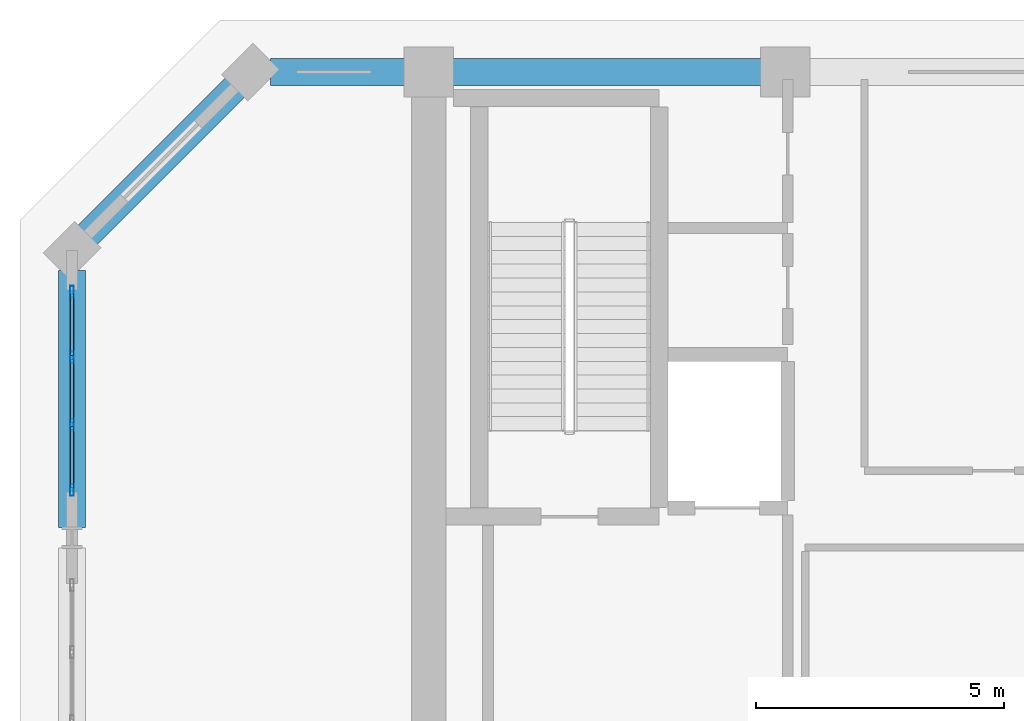
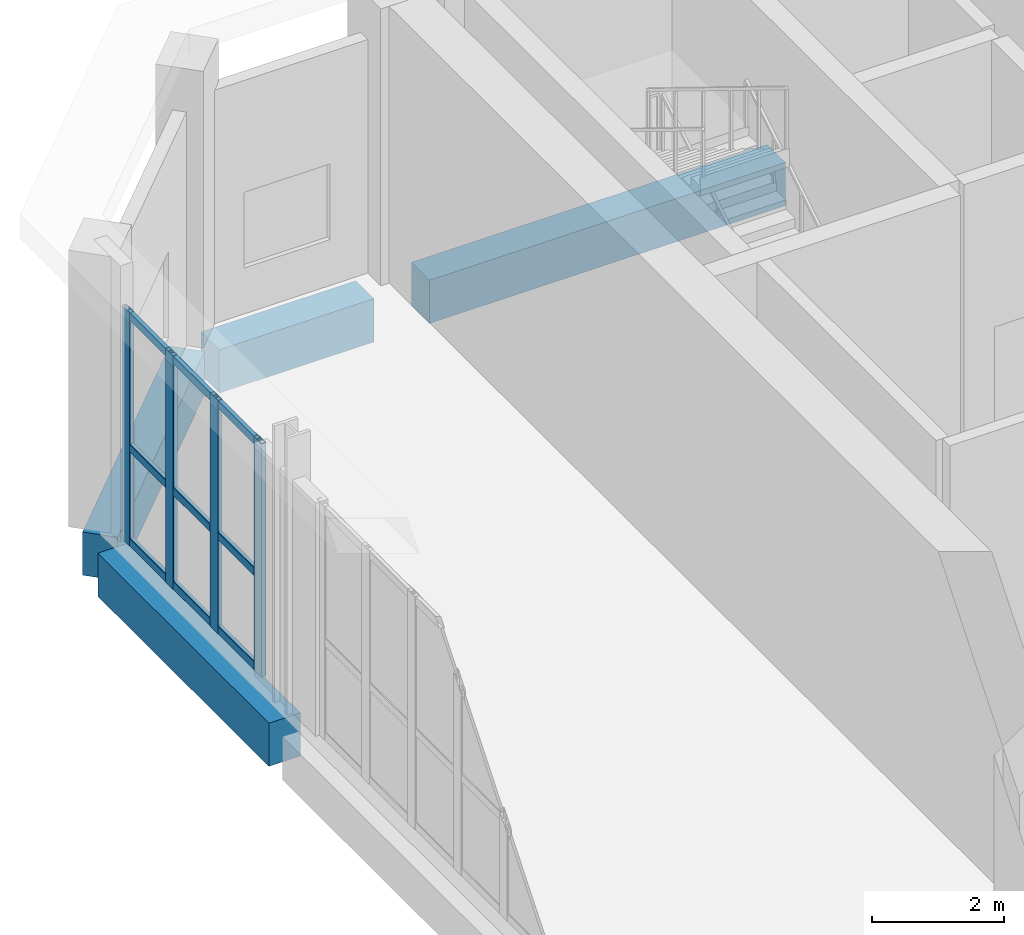
# One storey, part 12 of 26: 13 members, 4 beams, 1 element without a shape of its own.
"""IFC4 building model written with IfcOpenShell, lengths in metres."""

from ifc_helpers import new_model, si_unit, direction, frame, origin, origin_2d, place, context, subcontext, project, spatial, rectangle, hollow_rectangle, extrude, material, layer, layer_set, material_profile, profile_set, type_object, element, aggregate, save


model = new_model("IFC4")

# Units and contexts
model_context = context("Model", 3, precision=1e-05, world=origin(), true_north=direction((0.0, 1.0)))
body_context = subcontext(model_context, "Body", "Model", "MODEL_VIEW")
ifc_project = project(units=[si_unit("LENGTHUNIT", "METRE"), si_unit("AREAUNIT", "SQUARE_METRE"), si_unit("VOLUMEUNIT", "CUBIC_METRE"), si_unit("PLANEANGLEUNIT", "RADIAN"), si_unit("MASSUNIT", "GRAM", prefix="KILO")], contexts=[model_context])

# Site, building, storey
site_placement = place(None, origin())
site = spatial("IfcSite", under=ifc_project, at=site_placement, CompositionType="ELEMENT")
building_placement = place(site_placement, origin())
building = spatial("IfcBuilding", under=site, at=building_placement, Name="Kaelvorn Grand Hotel", CompositionType="ELEMENT")
storey_placement = place(building_placement, frame((0.0, 0.0, 300.199951171875)))
storey = spatial("IfcBuildingStorey", under=building, at=storey_placement, Name="L73", CompositionType="ELEMENT", Elevation=300.199951171875)

# Beams
ifc_material_1 = material(Name="Concrete C50/60", Category="concrete")
ifc_material_profile_1 = material_profile(ifc_material_1, rectangle(XDim=0.550048828125, YDim=0.800048828125, at=origin_2d()), Name="RC SPANDREL 550x800")
ifc_profile_set_1 = profile_set([ifc_material_profile_1], Name="Concrete C50/60")
beam_type = type_object("IfcBeamType", Name="BM-SP-550x800-C50", PredefinedType="SPANDREL", material=ifc_profile_set_1)
beam_1_placement = place(storey_placement, frame((13.0048828125, 49.0, -0.780029296875), z_axis=(1.0, 0.0, 0.0), x_axis=(0.0, 1.0, 0.0)))
element("IfcBeam", 1, at=beam_1_placement, inside=storey, type_object=beam_type, Name="L73 North Perimeter Spandrel 01", PredefinedType="SPANDREL", context=body_context, shape_type="SweptSolid", body=[
    extrude(rectangle(XDim=0.550048828125, YDim=0.800048828125, at=origin_2d()), origin(), (0.0, 0.0, 1.0), 2.710205078125),
])
beam_2_placement = place(storey_placement, frame((16.68505859375, 49.0, -0.780029296875), z_axis=(1.0, 0.0, 0.0), x_axis=(0.0, 1.0, 0.0)))
element("IfcBeam", 2, at=beam_2_placement, inside=storey, type_object=beam_type, Name="L73 North Perimeter Spandrel 02", PredefinedType="SPANDREL", context=body_context, shape_type="SweptSolid", body=[
    extrude(rectangle(XDim=0.550048828125, YDim=0.800048828125, at=origin_2d()), origin(), (0.0, 0.0, 1.0), 6.22998046875),
])
beam_3_placement = place(storey_placement, frame((9.0, 39.804931640625, -0.780029296875), z_axis=(0.0, 1.0, 0.0), x_axis=(-1.0, 0.0, 0.0)))
element("IfcBeam", 3, at=beam_3_placement, inside=storey, type_object=beam_type, Name="L73 West Perimeter Spandrel 04", PredefinedType="SPANDREL", context=body_context, shape_type="SweptSolid", body=[
    extrude(rectangle(XDim=0.550048828125, YDim=0.800048828125, at=origin_2d()), origin(), (0.0, 0.0, 1.0), 5.190185546875),
])
beam_4_placement = place(storey_placement, frame((12.60009765625, 49.0, -0.780029296875), z_axis=(-0.707106781187, -0.707106781187, 0.0), x_axis=(0.707106781187, -0.707106781187, 0.0)))
element("IfcBeam", 4, at=beam_4_placement, inside=storey, type_object=beam_type, Name="L73 Chamfer Spandrel Beam 3", PredefinedType="SPANDREL", context=body_context, shape_type="SweptSolid", body=[
    extrude(rectangle(XDim=0.550048828125, YDim=0.800048828125, at=origin_2d()), origin(), (0.0, 0.0, 1.0), 5.09130859375),
])

# Curtain wall, members
ifc_material_2 = material(Name="Anodised Aluminium", Category="aluminium")
ifc_layer = layer(ifc_material_2, 0.239990234375)
ifc_layer_set = layer_set([ifc_layer], Name="Anodised Aluminium")
curtain_wall_type = type_object("IfcCurtainWallType", Name="CW-SYS5", PredefinedType="NOTDEFINED", material=ifc_layer_set)
curtain_wall_placement = place(storey_placement, origin())
curtain_wall = element("IfcCurtainWall", 5, at=curtain_wall_placement, inside=storey, type_object=curtain_wall_type, Name="L73 Unitised Curtain Wall CW5 (CW-L73-W-05)", PredefinedType="NOTDEFINED")
ifc_material_profile_2 = material_profile(ifc_material_2, hollow_rectangle(XDim=0.080078125, YDim=0.239990234375, WallThickness=0.0048828125, InnerFilletRadius=0.0048828125, OuterFilletRadius=0.010009765625, at=origin_2d()), Name="ALU MULL 80x240")
ifc_profile_set_2 = profile_set([ifc_material_profile_2], Name="Anodised Aluminium")
member_type_1 = type_object("IfcMemberType", Name="CW-SYS5-MULL", PredefinedType="MULLION", material=ifc_profile_set_2)
member_1_placement = place(storey_placement, frame((9.0, 44.56005859375, 0.0), z_axis=(0.0, 0.0, 1.0), x_axis=(1.0, 0.0, 0.0)))
member_1 = element("IfcMember", 6, at=member_1_placement, type_object=member_type_1, Name="CW5 mullion 1", PredefinedType="MULLION", context=body_context, shape_type="SweptSolid", body=[
    extrude(hollow_rectangle(XDim=0.080078125, YDim=0.239990234375, WallThickness=0.0048828125, InnerFilletRadius=0.0048828125, OuterFilletRadius=0.010009765625, at=origin_2d()), origin(), (0.0, 0.0, 1.0), 4.320068359375),
])
member_2_placement = place(storey_placement, frame((9.0, 43.239990234375, 0.0), z_axis=(0.0, 0.0, 1.0), x_axis=(1.0, 0.0, 0.0)))
member_2 = element("IfcMember", 7, at=member_2_placement, type_object=member_type_1, Name="CW5 mullion 2", PredefinedType="MULLION", context=body_context, shape_type="SweptSolid", body=[
    extrude(hollow_rectangle(XDim=0.080078125, YDim=0.239990234375, WallThickness=0.0048828125, InnerFilletRadius=0.0048828125, OuterFilletRadius=0.010009765625, at=origin_2d()), origin(), (0.0, 0.0, 1.0), 4.320068359375),
])
member_3_placement = place(storey_placement, frame((9.0, 41.8798828125, 0.0), z_axis=(0.0, 0.0, 1.0), x_axis=(1.0, 0.0, 0.0)))
member_3 = element("IfcMember", 8, at=member_3_placement, type_object=member_type_1, Name="CW5 mullion 3", PredefinedType="MULLION", context=body_context, shape_type="SweptSolid", body=[
    extrude(hollow_rectangle(XDim=0.080078125, YDim=0.239990234375, WallThickness=0.0048828125, InnerFilletRadius=0.0048828125, OuterFilletRadius=0.010009765625, at=origin_2d()), origin(), (0.0, 0.0, 1.0), 4.320068359375),
])
member_4_placement = place(storey_placement, frame((9.0, 40.56005859375, 0.0), z_axis=(0.0, 0.0, 1.0), x_axis=(1.0, 0.0, 0.0)))
member_4 = element("IfcMember", 9, at=member_4_placement, type_object=member_type_1, Name="CW5 mullion 4", PredefinedType="MULLION", context=body_context, shape_type="SweptSolid", body=[
    extrude(hollow_rectangle(XDim=0.080078125, YDim=0.239990234375, WallThickness=0.0048828125, InnerFilletRadius=0.0048828125, OuterFilletRadius=0.010009765625, at=origin_2d()), origin(), (0.0, 0.0, 1.0), 4.320068359375),
])
ifc_material_profile_3 = material_profile(ifc_material_2, hollow_rectangle(XDim=0.074951171875, YDim=0.14990234375, WallThickness=0.00390625, InnerFilletRadius=0.00390625, OuterFilletRadius=0.008056640625, at=origin_2d()), Name="ALU TRAN 75x150")
ifc_profile_set_3 = profile_set([ifc_material_profile_3], Name="Anodised Aluminium")
member_type_2 = type_object("IfcMemberType", Name="CW-SYS5-TRAN", PredefinedType="NOTDEFINED", material=ifc_profile_set_3)
member_5_placement = place(storey_placement, frame((9.0, 44.52001953125, 0.074951171875), z_axis=(0.0, -1.0, 0.0), x_axis=(1.0, 0.0, 0.0)))
member_5 = element("IfcMember", 10, at=member_5_placement, type_object=member_type_2, Name="CW5 transom 1.1", ObjectType="TRANSOM", PredefinedType="USERDEFINED", context=body_context, shape_type="SweptSolid", body=[
    extrude(hollow_rectangle(XDim=0.074951171875, YDim=0.14990234375, WallThickness=0.00390625, InnerFilletRadius=0.00390625, OuterFilletRadius=0.008056640625, at=origin_2d()), origin(), (0.0, 0.0, 1.0), 1.239990234375),
])
member_6_placement = place(storey_placement, frame((9.0, 44.52001953125, 1.814453125), z_axis=(0.0, -1.0, 0.0), x_axis=(1.0, 0.0, 0.0)))
member_6 = element("IfcMember", 11, at=member_6_placement, type_object=member_type_2, Name="CW5 transom 1.2", ObjectType="TRANSOM", PredefinedType="USERDEFINED", context=body_context, shape_type="SweptSolid", body=[
    extrude(hollow_rectangle(XDim=0.074951171875, YDim=0.14990234375, WallThickness=0.00390625, InnerFilletRadius=0.00390625, OuterFilletRadius=0.008056640625, at=origin_2d()), origin(), (0.0, 0.0, 1.0), 1.239990234375),
])
member_7_placement = place(storey_placement, frame((9.0, 44.52001953125, 4.2451171875), z_axis=(0.0, -1.0, 0.0), x_axis=(1.0, 0.0, 0.0)))
member_7 = element("IfcMember", 12, at=member_7_placement, type_object=member_type_2, Name="CW5 transom 1.3", ObjectType="TRANSOM", PredefinedType="USERDEFINED", context=body_context, shape_type="SweptSolid", body=[
    extrude(hollow_rectangle(XDim=0.074951171875, YDim=0.14990234375, WallThickness=0.00390625, InnerFilletRadius=0.00390625, OuterFilletRadius=0.008056640625, at=origin_2d()), origin(), (0.0, 0.0, 1.0), 1.239990234375),
])
member_8_placement = place(storey_placement, frame((9.0, 43.199951171875, 0.074951171875), z_axis=(0.0, -1.0, 0.0), x_axis=(1.0, 0.0, 0.0)))
member_8 = element("IfcMember", 13, at=member_8_placement, type_object=member_type_2, Name="CW5 transom 2.1", ObjectType="TRANSOM", PredefinedType="USERDEFINED", context=body_context, shape_type="SweptSolid", body=[
    extrude(hollow_rectangle(XDim=0.074951171875, YDim=0.14990234375, WallThickness=0.00390625, InnerFilletRadius=0.00390625, OuterFilletRadius=0.008056640625, at=origin_2d()), origin(), (0.0, 0.0, 1.0), 1.280029296875),
])
member_9_placement = place(storey_placement, frame((9.0, 43.199951171875, 1.814453125), z_axis=(0.0, -1.0, 0.0), x_axis=(1.0, 0.0, 0.0)))
member_9 = element("IfcMember", 14, at=member_9_placement, type_object=member_type_2, Name="CW5 transom 2.2", ObjectType="TRANSOM", PredefinedType="USERDEFINED", context=body_context, shape_type="SweptSolid", body=[
    extrude(hollow_rectangle(XDim=0.074951171875, YDim=0.14990234375, WallThickness=0.00390625, InnerFilletRadius=0.00390625, OuterFilletRadius=0.008056640625, at=origin_2d()), origin(), (0.0, 0.0, 1.0), 1.280029296875),
])
member_10_placement = place(storey_placement, frame((9.0, 43.199951171875, 4.2451171875), z_axis=(0.0, -1.0, 0.0), x_axis=(1.0, 0.0, 0.0)))
member_10 = element("IfcMember", 15, at=member_10_placement, type_object=member_type_2, Name="CW5 transom 2.3", ObjectType="TRANSOM", PredefinedType="USERDEFINED", context=body_context, shape_type="SweptSolid", body=[
    extrude(hollow_rectangle(XDim=0.074951171875, YDim=0.14990234375, WallThickness=0.00390625, InnerFilletRadius=0.00390625, OuterFilletRadius=0.008056640625, at=origin_2d()), origin(), (0.0, 0.0, 1.0), 1.280029296875),
])
member_11_placement = place(storey_placement, frame((9.0, 41.840087890625, 0.074951171875), z_axis=(0.0, -1.0, 0.0), x_axis=(1.0, 0.0, 0.0)))
member_11 = element("IfcMember", 16, at=member_11_placement, type_object=member_type_2, Name="CW5 transom 3.1", ObjectType="TRANSOM", PredefinedType="USERDEFINED", context=body_context, shape_type="SweptSolid", body=[
    extrude(hollow_rectangle(XDim=0.074951171875, YDim=0.14990234375, WallThickness=0.00390625, InnerFilletRadius=0.00390625, OuterFilletRadius=0.008056640625, at=origin_2d()), origin(), (0.0, 0.0, 1.0), 1.239990234375),
])
member_12_placement = place(storey_placement, frame((9.0, 41.840087890625, 1.814453125), z_axis=(0.0, -1.0, 0.0), x_axis=(1.0, 0.0, 0.0)))
member_12 = element("IfcMember", 17, at=member_12_placement, type_object=member_type_2, Name="CW5 transom 3.2", ObjectType="TRANSOM", PredefinedType="USERDEFINED", context=body_context, shape_type="SweptSolid", body=[
    extrude(hollow_rectangle(XDim=0.074951171875, YDim=0.14990234375, WallThickness=0.00390625, InnerFilletRadius=0.00390625, OuterFilletRadius=0.008056640625, at=origin_2d()), origin(), (0.0, 0.0, 1.0), 1.239990234375),
])
member_13_placement = place(storey_placement, frame((9.0, 41.840087890625, 4.2451171875), z_axis=(0.0, -1.0, 0.0), x_axis=(1.0, 0.0, 0.0)))
member_13 = element("IfcMember", 18, at=member_13_placement, type_object=member_type_2, Name="CW5 transom 3.3", ObjectType="TRANSOM", PredefinedType="USERDEFINED", context=body_context, shape_type="SweptSolid", body=[
    extrude(hollow_rectangle(XDim=0.074951171875, YDim=0.14990234375, WallThickness=0.00390625, InnerFilletRadius=0.00390625, OuterFilletRadius=0.008056640625, at=origin_2d()), origin(), (0.0, 0.0, 1.0), 1.239990234375),
])
aggregate(curtain_wall, [member_1, member_2, member_3, member_4, member_5, member_6, member_7, member_8, member_9, member_10, member_11, member_12, member_13])

save(model, "model.ifc")
